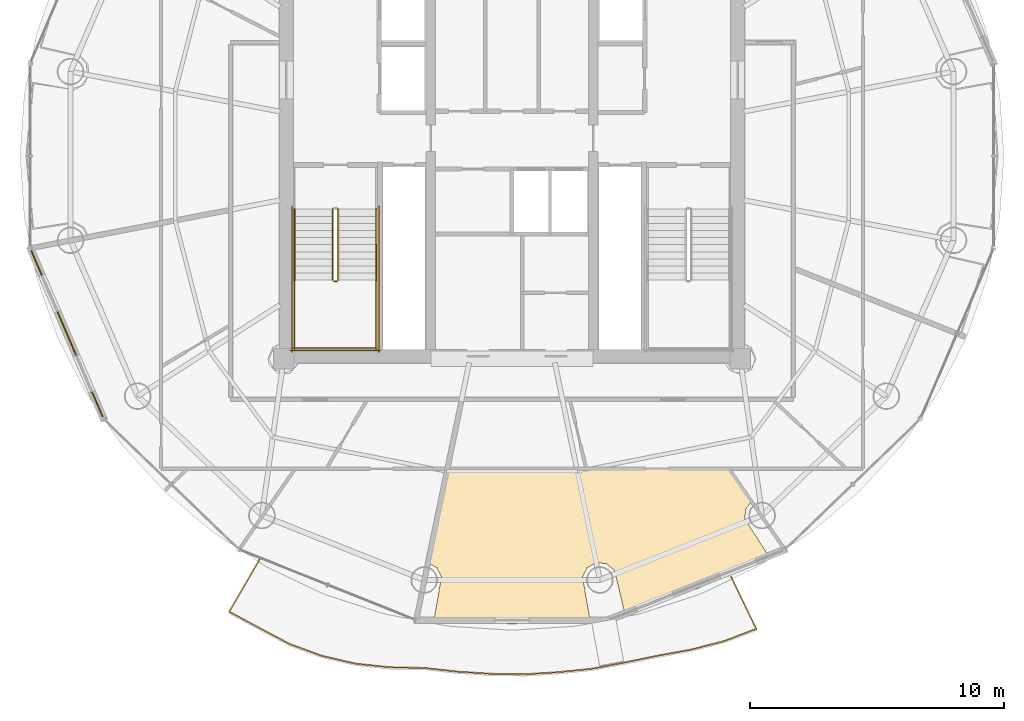
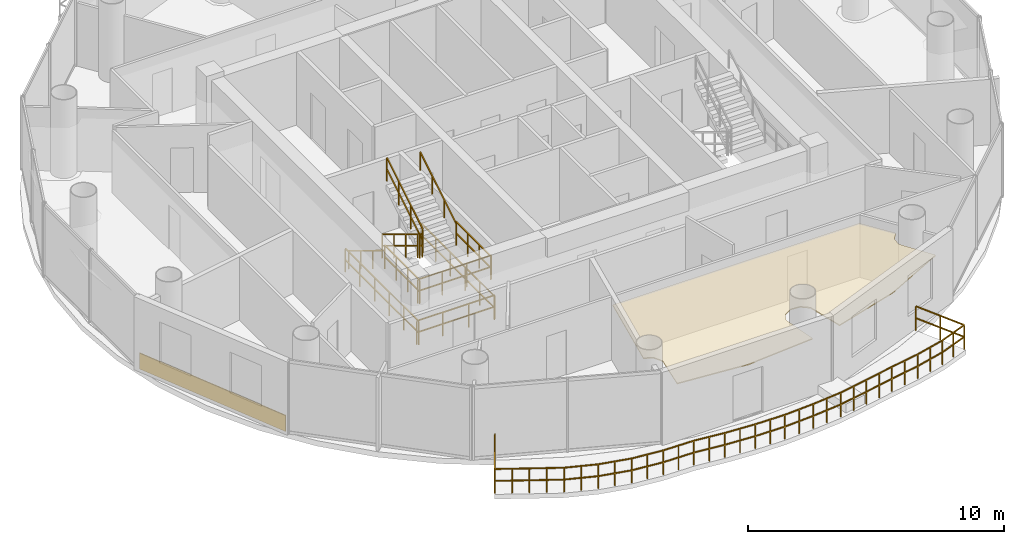
# One storey, part 21 of 23: 12 railings, 2 coverings.
"""IFC4 building model written with IfcOpenShell, lengths in metres."""

from ifc_helpers import new_model, si_unit, direction, frame, origin, origin_2d, place, context, subcontext, project, spatial, polyline, rectangle, outline, extrude, source, transform, mapped, material, layer, layer_set, type_object, element, save


model = new_model("IFC4")

# Units and contexts
model_context = context("Model", 3, precision=1e-05, world=origin(), true_north=direction((-0.2419218956, 0.970295726276)))
body_context = subcontext(model_context, "Body", "Model", "MODEL_VIEW")
ifc_project = project(units=[si_unit("LENGTHUNIT", "METRE"), si_unit("AREAUNIT", "SQUARE_METRE"), si_unit("VOLUMEUNIT", "CUBIC_METRE"), si_unit("PLANEANGLEUNIT", "RADIAN"), si_unit("MASSUNIT", "GRAM", prefix="KILO")], contexts=[model_context])

# Site, building, storey
site_placement = place(None, origin())
site = spatial("IfcSite", under=ifc_project, at=site_placement, CompositionType="ELEMENT")
building_placement = place(site_placement, origin())
building = spatial("IfcBuilding", under=site, at=building_placement, Name="Cobrevalo Terracotta Tower", CompositionType="ELEMENT")
storey_placement = place(building_placement, frame((0.0, 0.0, 251.949951171875)))
storey = spatial("IfcBuildingStorey", under=building, at=storey_placement, Name="L66", CompositionType="ELEMENT", Elevation=251.949951171875)

# Railing
ifc_material_1 = material(Name="Laminated structural glass and stainless steel", Category="steel")
railing_type_1 = type_object("IfcRailingType", Name="Balcony lobe structural glass & terracotta-cap balustrade 1180 mm", PredefinedType="BALUSTRADE", material=ifc_material_1)
railing_1_placement = place(storey_placement, frame((28.039794921875, 10.8798828125, 0.0)))
element("IfcRailing", 1, at=railing_1_placement, inside=storey, type_object=railing_type_1, Name="L66 spiralling balcony lobe balustrade 2", PredefinedType="BALUSTRADE", context=body_context, shape_type="SweptSolid", body=[
    extrude(rectangle(XDim=0.048095703125, YDim=0.048095703125, at=origin_2d()), frame((0.0, 0.0, 1.15576171875), z_axis=(-0.502641922327, -0.864494706704, 0.0), x_axis=(0.864494706704, -0.502641922327, 0.0)), (0.0, 0.0, 1.0), 2.372314453125),
    extrude(rectangle(XDim=0.048095703125, YDim=0.048095703125, at=origin_2d()), frame((0.0, 0.0, 0.58984375), z_axis=(-0.502641922327, -0.864494706704, 0.0), x_axis=(0.864494706704, -0.502641922327, 0.0)), (0.0, 0.0, 1.0), 2.372314453125),
    extrude(rectangle(XDim=0.048095703125, YDim=0.048095703125, at=origin_2d()), frame((-1.1923828125, -2.05078125, 1.15576171875), z_axis=(0.8797617088, -0.475414909031, 0.0), x_axis=(0.475414909031, 0.8797617088, 0.0)), (0.0, 0.0, 1.0), 1.35009765625),
    extrude(rectangle(XDim=0.048095703125, YDim=0.048095703125, at=origin_2d()), frame((-1.1923828125, -2.05078125, 0.58984375), z_axis=(0.8797617088, -0.475414909031, 0.0), x_axis=(0.475414909031, 0.8797617088, 0.0)), (0.0, 0.0, 1.0), 1.35009765625),
    extrude(rectangle(XDim=0.048095703125, YDim=0.048095703125, at=origin_2d()), frame((-0.004638671875, -2.692626953125, 1.15576171875), z_axis=(0.883490294102, -0.468449463899, 0.0), x_axis=(0.468449463899, 0.883490294102, 0.0)), (0.0, 0.0, 1.0), 1.357666015625),
    extrude(rectangle(XDim=0.048095703125, YDim=0.048095703125, at=origin_2d()), frame((-0.004638671875, -2.692626953125, 0.58984375), z_axis=(0.883490294102, -0.468449463899, 0.0), x_axis=(0.468449463899, 0.883490294102, 0.0)), (0.0, 0.0, 1.0), 1.357666015625),
    extrude(rectangle(XDim=0.048095703125, YDim=0.048095703125, at=origin_2d()), frame((1.19482421875, -3.32861328125, 1.15576171875), z_axis=(0.939245964132, -0.34324483807, 0.0), x_axis=(0.34324483807, 0.939245964132, 0.0)), (0.0, 0.0, 1.0), 1.357177734375),
    extrude(rectangle(XDim=0.048095703125, YDim=0.048095703125, at=origin_2d()), frame((1.19482421875, -3.32861328125, 0.58984375), z_axis=(0.939245964132, -0.34324483807, 0.0), x_axis=(0.34324483807, 0.939245964132, 0.0)), (0.0, 0.0, 1.0), 1.357177734375),
    extrude(rectangle(XDim=0.048095703125, YDim=0.048095703125, at=origin_2d()), frame((2.469482421875, -3.79443359375, 1.15576171875), z_axis=(0.974100023718, -0.226117544194, 0.0), x_axis=(0.226117544194, 0.974100023718, 0.0)), (0.0, 0.0, 1.0), 1.3603515625),
    extrude(rectangle(XDim=0.048095703125, YDim=0.048095703125, at=origin_2d()), frame((2.469482421875, -3.79443359375, 0.58984375), z_axis=(0.974100023718, -0.226117544194, 0.0), x_axis=(0.226117544194, 0.974100023718, 0.0)), (0.0, 0.0, 1.0), 1.3603515625),
    extrude(rectangle(XDim=0.048095703125, YDim=0.048095703125, at=origin_2d()), frame((3.794677734375, -4.10205078125, 1.15576171875), z_axis=(0.994502500027, -0.104712833216, 0.0), x_axis=(0.104712833216, 0.994502500027, 0.0)), (0.0, 0.0, 1.0), 1.359375),
    extrude(rectangle(XDim=0.048095703125, YDim=0.048095703125, at=origin_2d()), frame((3.794677734375, -4.10205078125, 0.58984375), z_axis=(0.994502500027, -0.104712833216, 0.0), x_axis=(0.104712833216, 0.994502500027, 0.0)), (0.0, 0.0, 1.0), 1.359375),
    extrude(rectangle(XDim=0.048095703125, YDim=0.048095703125, at=origin_2d()), frame((5.146484375, -4.244384765625, 1.15576171875), z_axis=(0.999831160374, -0.01837527538, 0.0), x_axis=(0.01837527538, 0.999831160374, 0.0)), (0.0, 0.0, 1.0), 1.355224609375),
    extrude(rectangle(XDim=0.048095703125, YDim=0.048095703125, at=origin_2d()), frame((5.146484375, -4.244384765625, 0.58984375), z_axis=(0.999831160374, -0.01837527538, 0.0), x_axis=(0.01837527538, 0.999831160374, 0.0)), (0.0, 0.0, 1.0), 1.355224609375),
    extrude(rectangle(XDim=0.048095703125, YDim=0.048095703125, at=origin_2d()), frame((6.50146484375, -4.269287109375, 1.15576171875), z_axis=(0.993777759576, -0.111381167941, 0.0), x_axis=(0.111381167941, 0.993777759576, 0.0)), (0.0, 0.0, 1.0), 1.326171875),
    extrude(rectangle(XDim=0.048095703125, YDim=0.048095703125, at=origin_2d()), frame((6.50146484375, -4.269287109375, 0.58984375), z_axis=(0.993777759576, -0.111381167941, 0.0), x_axis=(0.111381167941, 0.993777759576, 0.0)), (0.0, 0.0, 1.0), 1.326171875),
    extrude(rectangle(XDim=0.048095703125, YDim=0.048095703125, at=origin_2d()), frame((7.8193359375, -4.4169921875, 1.15576171875), z_axis=(0.997986945276, -0.063419689836, 0.0), x_axis=(0.063419689836, 0.997986945276, 0.0)), (0.0, 0.0, 1.0), 1.328125),
    extrude(rectangle(XDim=0.048095703125, YDim=0.048095703125, at=origin_2d()), frame((7.8193359375, -4.4169921875, 0.58984375), z_axis=(0.997986945276, -0.063419689836, 0.0), x_axis=(0.063419689836, 0.997986945276, 0.0)), (0.0, 0.0, 1.0), 1.328125),
    extrude(rectangle(XDim=0.048095703125, YDim=0.048095703125, at=origin_2d()), frame((9.144775390625, -4.501220703125, 1.15576171875), z_axis=(0.999902065947, -0.013994946043, 0.0), x_axis=(0.013994946043, 0.999902065947, 0.0)), (0.0, 0.0, 1.0), 1.325927734375),
    extrude(rectangle(XDim=0.048095703125, YDim=0.048095703125, at=origin_2d()), frame((9.144775390625, -4.501220703125, 0.58984375), z_axis=(0.999902065947, -0.013994946043, 0.0), x_axis=(0.013994946043, 0.999902065947, 0.0)), (0.0, 0.0, 1.0), 1.325927734375),
    extrude(rectangle(XDim=0.048095703125, YDim=0.048095703125, at=origin_2d()), frame((10.470458984375, -4.519775390625, 1.15576171875), z_axis=(0.998056153456, 0.062321060236, 0.0), x_axis=(-0.062321060236, 0.998056153456, 0.0)), (0.0, 0.0, 1.0), 1.328125),
    extrude(rectangle(XDim=0.048095703125, YDim=0.048095703125, at=origin_2d()), frame((10.470458984375, -4.519775390625, 0.58984375), z_axis=(0.998056153456, 0.062321060236, 0.0), x_axis=(-0.062321060236, 0.998056153456, 0.0)), (0.0, 0.0, 1.0), 1.328125),
    extrude(rectangle(XDim=0.048095703125, YDim=0.048095703125, at=origin_2d()), frame((11.7958984375, -4.43701171875, 1.15576171875), z_axis=(0.994726183174, 0.102566176236, 0.0), x_axis=(-0.102566176236, 0.994726183174, 0.0)), (0.0, 0.0, 1.0), 1.325927734375),
    extrude(rectangle(XDim=0.048095703125, YDim=0.048095703125, at=origin_2d()), frame((11.7958984375, -4.43701171875, 0.58984375), z_axis=(0.994726183174, 0.102566176236, 0.0), x_axis=(-0.102566176236, 0.994726183174, 0.0)), (0.0, 0.0, 1.0), 1.325927734375),
    extrude(rectangle(XDim=0.048095703125, YDim=0.048095703125, at=origin_2d()), frame((13.11474609375, -4.301025390625, 1.15576171875), z_axis=(0.982336955947, 0.187120562689, 0.0), x_axis=(-0.187120562689, 0.982336955947, 0.0)), (0.0, 0.0, 1.0), 1.326904296875),
    extrude(rectangle(XDim=0.048095703125, YDim=0.048095703125, at=origin_2d()), frame((13.11474609375, -4.301025390625, 0.58984375), z_axis=(0.982336955947, 0.187120562689, 0.0), x_axis=(-0.187120562689, 0.982336955947, 0.0)), (0.0, 0.0, 1.0), 1.326904296875),
    extrude(rectangle(XDim=0.048095703125, YDim=0.048095703125, at=origin_2d()), frame((14.418212890625, -4.052734375, 1.15576171875), z_axis=(0.979233956079, 0.20273346853, 0.0), x_axis=(-0.20273346853, 0.979233956079, 0.0)), (0.0, 0.0, 1.0), 1.325927734375),
    extrude(rectangle(XDim=0.048095703125, YDim=0.048095703125, at=origin_2d()), frame((14.418212890625, -4.052734375, 0.58984375), z_axis=(0.979233956079, 0.20273346853, 0.0), x_axis=(-0.20273346853, 0.979233956079, 0.0)), (0.0, 0.0, 1.0), 1.325927734375),
    extrude(rectangle(XDim=0.048095703125, YDim=0.048095703125, at=origin_2d()), frame((15.716552734375, -3.783935546875, 1.15576171875), z_axis=(0.983773594524, 0.17941436597, 0.0), x_axis=(-0.17941436597, 0.983773594524, 0.0)), (0.0, 0.0, 1.0), 1.34033203125),
    extrude(rectangle(XDim=0.048095703125, YDim=0.048095703125, at=origin_2d()), frame((15.716552734375, -3.783935546875, 0.58984375), z_axis=(0.983773594524, 0.17941436597, 0.0), x_axis=(-0.17941436597, 0.983773594524, 0.0)), (0.0, 0.0, 1.0), 1.34033203125),
    extrude(rectangle(XDim=0.048095703125, YDim=0.048095703125, at=origin_2d()), frame((17.03515625, -3.54345703125, 1.15576171875), z_axis=(0.968455427863, 0.249186846046, 0.0), x_axis=(-0.249186846046, 0.968455427863, 0.0)), (0.0, 0.0, 1.0), 1.34619140625),
    extrude(rectangle(XDim=0.048095703125, YDim=0.048095703125, at=origin_2d()), frame((17.03515625, -3.54345703125, 0.58984375), z_axis=(0.968455427863, 0.249186846046, 0.0), x_axis=(-0.249186846046, 0.968455427863, 0.0)), (0.0, 0.0, 1.0), 1.34619140625),
    extrude(rectangle(XDim=0.048095703125, YDim=0.048095703125, at=origin_2d()), frame((18.3388671875, -3.2080078125, 1.15576171875), z_axis=(0.933616648448, 0.35827357388, 0.0), x_axis=(-0.35827357388, 0.933616648448, 0.0)), (0.0, 0.0, 1.0), 1.34521484375),
    extrude(rectangle(XDim=0.048095703125, YDim=0.048095703125, at=origin_2d()), frame((18.3388671875, -3.2080078125, 0.58984375), z_axis=(0.933616648448, 0.35827357388, 0.0), x_axis=(-0.35827357388, 0.933616648448, 0.0)), (0.0, 0.0, 1.0), 1.34521484375),
    extrude(rectangle(XDim=0.048095703125, YDim=0.048095703125, at=origin_2d()), frame((19.5947265625, -2.72607421875, 1.15576171875), z_axis=(-0.43559176799, 0.900144328238, 0.0), x_axis=(-0.900144328238, -0.43559176799, 0.0)), (0.0, 0.0, 1.0), 2.276123046875),
    extrude(rectangle(XDim=0.048095703125, YDim=0.048095703125, at=origin_2d()), frame((19.5947265625, -2.72607421875, 0.58984375), z_axis=(-0.43559176799, 0.900144328238, 0.0), x_axis=(-0.900144328238, -0.43559176799, 0.0)), (0.0, 0.0, 1.0), 2.276123046875),
    extrude(rectangle(XDim=0.0419921875, YDim=0.0419921875, at=origin_2d()), origin(), (0.0, 0.0, 1.0), 1.1318359375),
    extrude(rectangle(XDim=0.0419921875, YDim=0.0419921875, at=origin_2d()), frame((-0.59619140625, -1.025390625, 0.0)), (0.0, 0.0, 1.0), 1.1318359375),
    extrude(rectangle(XDim=0.0419921875, YDim=0.0419921875, at=origin_2d()), frame((-1.1923828125, -2.05078125, 0.0)), (0.0, 0.0, 1.0), 1.1318359375),
    extrude(rectangle(XDim=0.0419921875, YDim=0.0419921875, at=origin_2d()), frame((-0.5986328125, -2.37158203125, 0.0)), (0.0, 0.0, 1.0), 1.1318359375),
    extrude(rectangle(XDim=0.0419921875, YDim=0.0419921875, at=origin_2d()), frame((-0.004638671875, -2.692626953125, 0.0)), (0.0, 0.0, 1.0), 1.1318359375),
    extrude(rectangle(XDim=0.0419921875, YDim=0.0419921875, at=origin_2d()), frame((0.59521484375, -3.0107421875, 0.0)), (0.0, 0.0, 1.0), 1.1318359375),
    extrude(rectangle(XDim=0.0419921875, YDim=0.0419921875, at=origin_2d()), frame((1.19482421875, -3.32861328125, 0.0)), (0.0, 0.0, 1.0), 1.1318359375),
    extrude(rectangle(XDim=0.0419921875, YDim=0.0419921875, at=origin_2d()), frame((1.83203125, -3.5615234375, 0.0)), (0.0, 0.0, 1.0), 1.1318359375),
    extrude(rectangle(XDim=0.0419921875, YDim=0.0419921875, at=origin_2d()), frame((2.469482421875, -3.79443359375, 0.0)), (0.0, 0.0, 1.0), 1.1318359375),
    extrude(rectangle(XDim=0.0419921875, YDim=0.0419921875, at=origin_2d()), frame((3.132080078125, -3.9482421875, 0.0)), (0.0, 0.0, 1.0), 1.1318359375),
    extrude(rectangle(XDim=0.0419921875, YDim=0.0419921875, at=origin_2d()), frame((3.794677734375, -4.10205078125, 0.0)), (0.0, 0.0, 1.0), 1.1318359375),
    extrude(rectangle(XDim=0.0419921875, YDim=0.0419921875, at=origin_2d()), frame((4.470703125, -4.17333984375, 0.0)), (0.0, 0.0, 1.0), 1.1318359375),
    extrude(rectangle(XDim=0.0419921875, YDim=0.0419921875, at=origin_2d()), frame((5.146484375, -4.244384765625, 0.0)), (0.0, 0.0, 1.0), 1.1318359375),
    extrude(rectangle(XDim=0.0419921875, YDim=0.0419921875, at=origin_2d()), frame((5.823974609375, -4.2568359375, 0.0)), (0.0, 0.0, 1.0), 1.1318359375),
    extrude(rectangle(XDim=0.0419921875, YDim=0.0419921875, at=origin_2d()), frame((6.50146484375, -4.269287109375, 0.0)), (0.0, 0.0, 1.0), 1.1318359375),
    extrude(rectangle(XDim=0.0419921875, YDim=0.0419921875, at=origin_2d()), frame((7.160400390625, -4.34326171875, 0.0)), (0.0, 0.0, 1.0), 1.1318359375),
    extrude(rectangle(XDim=0.0419921875, YDim=0.0419921875, at=origin_2d()), frame((7.8193359375, -4.4169921875, 0.0)), (0.0, 0.0, 1.0), 1.1318359375),
    extrude(rectangle(XDim=0.0419921875, YDim=0.0419921875, at=origin_2d()), frame((8.48193359375, -4.458984375, 0.0)), (0.0, 0.0, 1.0), 1.1318359375),
    extrude(rectangle(XDim=0.0419921875, YDim=0.0419921875, at=origin_2d()), frame((9.144775390625, -4.501220703125, 0.0)), (0.0, 0.0, 1.0), 1.1318359375),
    extrude(rectangle(XDim=0.0419921875, YDim=0.0419921875, at=origin_2d()), frame((9.8076171875, -4.510498046875, 0.0)), (0.0, 0.0, 1.0), 1.1318359375),
    extrude(rectangle(XDim=0.0419921875, YDim=0.0419921875, at=origin_2d()), frame((10.470458984375, -4.519775390625, 0.0)), (0.0, 0.0, 1.0), 1.1318359375),
    extrude(rectangle(XDim=0.0419921875, YDim=0.0419921875, at=origin_2d()), frame((11.13330078125, -4.478515625, 0.0)), (0.0, 0.0, 1.0), 1.1318359375),
    extrude(rectangle(XDim=0.0419921875, YDim=0.0419921875, at=origin_2d()), frame((11.7958984375, -4.43701171875, 0.0)), (0.0, 0.0, 1.0), 1.1318359375),
    extrude(rectangle(XDim=0.0419921875, YDim=0.0419921875, at=origin_2d()), frame((12.455322265625, -4.369140625, 0.0)), (0.0, 0.0, 1.0), 1.1318359375),
    extrude(rectangle(XDim=0.0419921875, YDim=0.0419921875, at=origin_2d()), frame((13.11474609375, -4.301025390625, 0.0)), (0.0, 0.0, 1.0), 1.1318359375),
    extrude(rectangle(XDim=0.0419921875, YDim=0.0419921875, at=origin_2d()), frame((13.7666015625, -4.1767578125, 0.0)), (0.0, 0.0, 1.0), 1.1318359375),
    extrude(rectangle(XDim=0.0419921875, YDim=0.0419921875, at=origin_2d()), frame((14.418212890625, -4.052734375, 0.0)), (0.0, 0.0, 1.0), 1.1318359375),
    extrude(rectangle(XDim=0.0419921875, YDim=0.0419921875, at=origin_2d()), frame((15.0673828125, -3.91845703125, 0.0)), (0.0, 0.0, 1.0), 1.1318359375),
    extrude(rectangle(XDim=0.0419921875, YDim=0.0419921875, at=origin_2d()), frame((15.716552734375, -3.783935546875, 0.0)), (0.0, 0.0, 1.0), 1.1318359375),
    extrude(rectangle(XDim=0.0419921875, YDim=0.0419921875, at=origin_2d()), frame((16.3759765625, -3.66357421875, 0.0)), (0.0, 0.0, 1.0), 1.1318359375),
    extrude(rectangle(XDim=0.0419921875, YDim=0.0419921875, at=origin_2d()), frame((17.03515625, -3.54345703125, 0.0)), (0.0, 0.0, 1.0), 1.1318359375),
    extrude(rectangle(XDim=0.0419921875, YDim=0.0419921875, at=origin_2d()), frame((17.68701171875, -3.375732421875, 0.0)), (0.0, 0.0, 1.0), 1.1318359375),
    extrude(rectangle(XDim=0.0419921875, YDim=0.0419921875, at=origin_2d()), frame((18.3388671875, -3.2080078125, 0.0)), (0.0, 0.0, 1.0), 1.1318359375),
    extrude(rectangle(XDim=0.0419921875, YDim=0.0419921875, at=origin_2d()), frame((18.966796875, -2.967041015625, 0.0)), (0.0, 0.0, 1.0), 1.1318359375),
    extrude(rectangle(XDim=0.0419921875, YDim=0.0419921875, at=origin_2d()), frame((19.5947265625, -2.72607421875, 0.0)), (0.0, 0.0, 1.0), 1.1318359375),
    extrude(rectangle(XDim=0.0419921875, YDim=0.0419921875, at=origin_2d()), frame((19.09912109375, -1.70166015625, 0.0)), (0.0, 0.0, 1.0), 1.1318359375),
    extrude(rectangle(XDim=0.0419921875, YDim=0.0419921875, at=origin_2d()), frame((18.603271484375, -0.67724609375, 0.0)), (0.0, 0.0, 1.0), 1.1318359375),
])

# Covering
ifc_material_2 = material(Name="Acoustic perforated gypsum ceiling", Category="gypsum")
ifc_layer_1 = layer(ifc_material_2, 0.050048828125)
ifc_layer_set_1 = layer_set([ifc_layer_1], Name="Acoustic perforated gypsum ceiling")
covering_type_1 = type_object("IfcCoveringType", Name="Perforated Acoustic Gypsum Ceiling 50", PredefinedType="CEILING", material=ifc_layer_set_1)
covering_1_placement = place(storey_placement, frame((0.0, 0.0, 2.5)))
element("IfcCovering", 2, at=covering_1_placement, inside=storey, type_object=covering_type_1, Name="Flat L66C Living and Dining Room acoustic ceiling", PredefinedType="CEILING", context=body_context, shape_type="SweptSolid", body=[
    extrude(outline(polyline([(45.333740234375, 9.740478515625), (42.424560546875, 8.861328125), (42.03759765625, 10.46826171875), (41.7236328125, 10.7216796875), (41.322021484375, 10.758056640625), (40.9677734375, 10.565185546875), (40.7802734375, 10.207763671875), (41.05908203125, 8.599853515625), (38.0, 8.3349609375), (34.94091796875, 8.599853515625), (35.2197265625, 10.207763671875), (35.0322265625, 10.565185546875), (34.6650390625, 10.76220703125), (35.43408203125, 14.489990234375), (46.563720703125, 14.489990234375), (47.462890625, 13.192626953125), (47.214599609375, 12.877197265625), (47.1826171875, 12.47509765625), (48.062255859375, 11.11767578125), (45.333740234375, 9.740478515625)])), origin(), (0.0, 0.0, 1.0), 0.050048828125),
])

# Railings
ifc_material_3 = material(Name="Brushed stainless steel", Category="steel")
railing_type_2 = type_object("IfcRailingType", Name="Stainless Steel Stair Handrail 900", PredefinedType="HANDRAIL", material=ifc_material_3)
railing_2_placement = place(storey_placement, frame((29.425048828125, 24.699951171875, 0.17041015625)))
element("IfcRailing", 3, at=railing_2_placement, inside=storey, type_object=railing_type_2, Name="L66 ST-1 stair handrail 1", PredefinedType="HANDRAIL", context=body_context, shape_type="SweptSolid", body=[
    extrude(rectangle(XDim=0.048095703125, YDim=0.048095703125, at=origin_2d()), frame((0.0, 0.0, 0.8759765625), z_axis=(0.0, -0.854169791009, 0.51999420009), x_axis=(1.0, 0.0, 0.0)), (0.0, 0.0, 1.0), 3.278076171875),
    extrude(rectangle(XDim=0.0419921875, YDim=0.0419921875, at=origin_2d()), origin(), (0.0, 0.0, 1.0), 0.851806640625),
    extrude(rectangle(XDim=0.0419921875, YDim=0.0419921875, at=origin_2d()), frame((0.0, -0.933349609375, 0.568115234375)), (0.0, 0.0, 1.0), 0.851806640625),
    extrude(rectangle(XDim=0.0419921875, YDim=0.0419921875, at=origin_2d()), frame((0.0, -1.86669921875, 1.136474609375)), (0.0, 0.0, 1.0), 0.851806640625),
    extrude(rectangle(XDim=0.0419921875, YDim=0.0419921875, at=origin_2d()), frame((0.0, -2.800048828125, 1.70458984375)), (0.0, 0.0, 1.0), 0.851806640625),
])
railing_3_placement = place(storey_placement, frame((32.64501953125, 21.89990234375, 2.04541015625)))
element("IfcRailing", 4, at=railing_3_placement, inside=storey, type_object=railing_type_2, Name="L66 ST-1 stair handrail 2", PredefinedType="HANDRAIL", context=body_context, shape_type="SweptSolid", body=[
    extrude(rectangle(XDim=0.048095703125, YDim=0.048095703125, at=origin_2d()), frame((0.0, 0.0, 0.8759765625), z_axis=(0.0, 0.854169791009, 0.51999420009), x_axis=(-1.0, 0.0, 0.0)), (0.0, 0.0, 1.0), 3.278076171875),
    extrude(rectangle(XDim=0.0419921875, YDim=0.0419921875, at=origin_2d()), origin(), (0.0, 0.0, 1.0), 0.851806640625),
    extrude(rectangle(XDim=0.0419921875, YDim=0.0419921875, at=origin_2d()), frame((0.0, 0.933349609375, 0.568115234375)), (0.0, 0.0, 1.0), 0.851806640625),
    extrude(rectangle(XDim=0.0419921875, YDim=0.0419921875, at=origin_2d()), frame((0.0, 1.86669921875, 1.136474609375)), (0.0, 0.0, 1.0), 0.851806640625),
    extrude(rectangle(XDim=0.0419921875, YDim=0.0419921875, at=origin_2d()), frame((0.0, 2.800048828125, 1.70458984375)), (0.0, 0.0, 1.0), 0.851806640625),
])
ifc_material_4 = material(Name="Painted galvanized steel", Category="steel")
railing_type_3 = type_object("IfcRailingType", Name="Stair Well Guard Balustrade 1150", PredefinedType="GUARDRAIL", material=ifc_material_4)
railing_4_placement = place(storey_placement, frame((30.925048828125, 24.699951171875, 0.17041015625)))
element("IfcRailing", 5, at=railing_4_placement, inside=storey, type_object=railing_type_3, Name="L66 ST-1 stair guard 1", PredefinedType="GUARDRAIL", context=body_context, shape_type="SweptSolid", body=[
    extrude(rectangle(XDim=0.048095703125, YDim=0.048095703125, at=origin_2d()), frame((0.0, 0.0, 1.1259765625), z_axis=(0.0, -0.854169791009, 0.51999420009), x_axis=(1.0, 0.0, 0.0)), (0.0, 0.0, 1.0), 3.278076171875),
    extrude(rectangle(XDim=0.048095703125, YDim=0.048095703125, at=origin_2d()), frame((0.0, 0.0, 0.574951171875), z_axis=(0.0, -0.854169791009, 0.51999420009), x_axis=(1.0, 0.0, 0.0)), (0.0, 0.0, 1.0), 3.278076171875),
    extrude(rectangle(XDim=0.0419921875, YDim=0.0419921875, at=origin_2d()), origin(), (0.0, 0.0, 1.0), 1.101806640625),
    extrude(rectangle(XDim=0.0419921875, YDim=0.0419921875, at=origin_2d()), frame((0.0, -0.933349609375, 0.568115234375)), (0.0, 0.0, 1.0), 1.101806640625),
    extrude(rectangle(XDim=0.0419921875, YDim=0.0419921875, at=origin_2d()), frame((0.0, -1.86669921875, 1.136474609375)), (0.0, 0.0, 1.0), 1.101806640625),
    extrude(rectangle(XDim=0.0419921875, YDim=0.0419921875, at=origin_2d()), frame((0.0, -2.800048828125, 1.70458984375)), (0.0, 0.0, 1.0), 1.101806640625),
])
railing_5_placement = place(storey_placement, frame((30.97509765625, 21.85009765625, 1.875)))
element("IfcRailing", 6, at=railing_5_placement, inside=storey, type_object=railing_type_3, Name="L66 ST-1 stair guard 2", PredefinedType="GUARDRAIL", context=body_context, shape_type="SweptSolid", body=[
    extrude(rectangle(XDim=0.048095703125, YDim=0.048095703125, at=origin_2d()), frame((0.0, 0.0, 1.1259765625), z_axis=(1.0, 0.0, 0.0), x_axis=(0.0, 1.0, 0.0)), (0.0, 0.0, 1.0), 0.119873046875),
    extrude(rectangle(XDim=0.048095703125, YDim=0.048095703125, at=origin_2d()), frame((0.0, 0.0, 0.574951171875), z_axis=(1.0, 0.0, 0.0), x_axis=(0.0, 1.0, 0.0)), (0.0, 0.0, 1.0), 0.119873046875),
    extrude(rectangle(XDim=0.0419921875, YDim=0.0419921875, at=origin_2d()), origin(), (0.0, 0.0, 1.0), 1.101806640625),
    extrude(rectangle(XDim=0.0419921875, YDim=0.0419921875, at=origin_2d()), frame((0.119873046875, 0.0, 0.0)), (0.0, 0.0, 1.0), 1.101806640625),
])
for number, where, name in (
    (7, (29.425048828125, 21.89990234375, 1.875), "L66 ST-1 stair guard 3"),
    (8, (32.64501953125, 21.89990234375, 1.875), "L66 ST-1 stair guard 4"),
):
    element("IfcRailing", number, at=place(storey_placement, frame(where)), inside=storey, type_object=railing_type_3, Name=name, PredefinedType="GUARDRAIL", context=body_context, shape_type="SweptSolid", body=[
        extrude(rectangle(XDim=0.048095703125, YDim=0.048095703125, at=origin_2d()), frame((0.0, 0.0, 1.1259765625), z_axis=(0.0, -1.0, 0.0), x_axis=(1.0, 0.0, 0.0)), (0.0, 0.0, 1.0), 2.724853515625),
        extrude(rectangle(XDim=0.048095703125, YDim=0.048095703125, at=origin_2d()), frame((0.0, 0.0, 0.574951171875), z_axis=(0.0, -1.0, 0.0), x_axis=(1.0, 0.0, 0.0)), (0.0, 0.0, 1.0), 2.724853515625),
        extrude(rectangle(XDim=0.0419921875, YDim=0.0419921875, at=origin_2d()), origin(), (0.0, 0.0, 1.0), 1.101806640625),
        extrude(rectangle(XDim=0.0419921875, YDim=0.0419921875, at=origin_2d()), frame((0.0, -0.908203125, 0.0)), (0.0, 0.0, 1.0), 1.101806640625),
        extrude(rectangle(XDim=0.0419921875, YDim=0.0419921875, at=origin_2d()), frame((0.0, -1.816650390625, 0.0)), (0.0, 0.0, 1.0), 1.101806640625),
        extrude(rectangle(XDim=0.0419921875, YDim=0.0419921875, at=origin_2d()), frame((0.0, -2.724853515625, 0.0)), (0.0, 0.0, 1.0), 1.101806640625),
    ])
railing_6_placement = place(storey_placement, frame((29.375, 19.22509765625, 1.875)))
element("IfcRailing", 9, at=railing_6_placement, inside=storey, type_object=railing_type_3, Name="L66 ST-1 stair guard 5", PredefinedType="GUARDRAIL", context=body_context, shape_type="SweptSolid", body=[
    extrude(rectangle(XDim=0.048095703125, YDim=0.048095703125, at=origin_2d()), frame((0.0, 0.0, 1.1259765625), z_axis=(1.0, 0.0, 0.0), x_axis=(0.0, 1.0, 0.0)), (0.0, 0.0, 1.0), 3.320068359375),
    extrude(rectangle(XDim=0.048095703125, YDim=0.048095703125, at=origin_2d()), frame((0.0, 0.0, 0.574951171875), z_axis=(1.0, 0.0, 0.0), x_axis=(0.0, 1.0, 0.0)), (0.0, 0.0, 1.0), 3.320068359375),
    extrude(rectangle(XDim=0.0419921875, YDim=0.0419921875, at=origin_2d()), origin(), (0.0, 0.0, 1.0), 1.101806640625),
    extrude(rectangle(XDim=0.0419921875, YDim=0.0419921875, at=origin_2d()), frame((1.106689453125, 0.0, 0.0)), (0.0, 0.0, 1.0), 1.101806640625),
    extrude(rectangle(XDim=0.0419921875, YDim=0.0419921875, at=origin_2d()), frame((2.21337890625, 0.0, 0.0)), (0.0, 0.0, 1.0), 1.101806640625),
    extrude(rectangle(XDim=0.0419921875, YDim=0.0419921875, at=origin_2d()), frame((3.320068359375, 0.0, 0.0)), (0.0, 0.0, 1.0), 1.101806640625),
])
railing_7_placement = place(storey_placement, frame((31.14501953125, 21.89990234375, 2.04541015625)))
element("IfcRailing", 10, at=railing_7_placement, inside=storey, type_object=railing_type_3, Name="L66 ST-1 stair guard 6", PredefinedType="GUARDRAIL", context=body_context, shape_type="SweptSolid", body=[
    extrude(rectangle(XDim=0.048095703125, YDim=0.048095703125, at=origin_2d()), frame((0.0, 0.0, 1.1259765625), z_axis=(0.0, 0.854169791009, 0.51999420009), x_axis=(-1.0, 0.0, 0.0)), (0.0, 0.0, 1.0), 3.278076171875),
    extrude(rectangle(XDim=0.048095703125, YDim=0.048095703125, at=origin_2d()), frame((0.0, 0.0, 0.574951171875), z_axis=(0.0, 0.854169791009, 0.51999420009), x_axis=(-1.0, 0.0, 0.0)), (0.0, 0.0, 1.0), 3.278076171875),
    extrude(rectangle(XDim=0.0419921875, YDim=0.0419921875, at=origin_2d()), origin(), (0.0, 0.0, 1.0), 1.101806640625),
    extrude(rectangle(XDim=0.0419921875, YDim=0.0419921875, at=origin_2d()), frame((0.0, 0.933349609375, 0.568115234375)), (0.0, 0.0, 1.0), 1.101806640625),
    extrude(rectangle(XDim=0.0419921875, YDim=0.0419921875, at=origin_2d()), frame((0.0, 1.86669921875, 1.136474609375)), (0.0, 0.0, 1.0), 1.101806640625),
    extrude(rectangle(XDim=0.0419921875, YDim=0.0419921875, at=origin_2d()), frame((0.0, 2.800048828125, 1.70458984375)), (0.0, 0.0, 1.0), 1.101806640625),
])
for number, where, name in (
    (11, (29.324951171875, 24.800048828125, 0.0), "L66 ST-1 stair guard 10"),
    (12, (32.7451171875, 24.800048828125, 0.0), "L66 ST-1 stair guard 11"),
):
    element("IfcRailing", number, at=place(storey_placement, frame(where)), inside=storey, type_object=railing_type_3, Name=name, PredefinedType="GUARDRAIL", context=body_context, shape_type="SweptSolid", body=[
        extrude(rectangle(XDim=0.048095703125, YDim=0.048095703125, at=origin_2d()), frame((0.0, 0.0, 1.1259765625), z_axis=(0.0, -1.0, 0.0), x_axis=(1.0, 0.0, 0.0)), (0.0, 0.0, 1.0), 5.72509765625),
        extrude(rectangle(XDim=0.048095703125, YDim=0.048095703125, at=origin_2d()), frame((0.0, 0.0, 0.574951171875), z_axis=(0.0, -1.0, 0.0), x_axis=(1.0, 0.0, 0.0)), (0.0, 0.0, 1.0), 5.72509765625),
        extrude(rectangle(XDim=0.0419921875, YDim=0.0419921875, at=origin_2d()), origin(), (0.0, 0.0, 1.0), 1.101806640625),
        extrude(rectangle(XDim=0.0419921875, YDim=0.0419921875, at=origin_2d()), frame((0.0, -1.14501953125, 0.0)), (0.0, 0.0, 1.0), 1.101806640625),
        extrude(rectangle(XDim=0.0419921875, YDim=0.0419921875, at=origin_2d()), frame((0.0, -2.2900390625, 0.0)), (0.0, 0.0, 1.0), 1.101806640625),
        extrude(rectangle(XDim=0.0419921875, YDim=0.0419921875, at=origin_2d()), frame((0.0, -3.43505859375, 0.0)), (0.0, 0.0, 1.0), 1.101806640625),
        extrude(rectangle(XDim=0.0419921875, YDim=0.0419921875, at=origin_2d()), frame((0.0, -4.580078125, 0.0)), (0.0, 0.0, 1.0), 1.101806640625),
        extrude(rectangle(XDim=0.0419921875, YDim=0.0419921875, at=origin_2d()), frame((0.0, -5.72509765625, 0.0)), (0.0, 0.0, 1.0), 1.101806640625),
    ])
railing_8_placement = place(storey_placement, frame((29.27490234375, 19.125, 0.0)))
element("IfcRailing", 13, at=railing_8_placement, inside=storey, type_object=railing_type_3, Name="L66 ST-1 stair guard 12", PredefinedType="GUARDRAIL", context=body_context, shape_type="SweptSolid", body=[
    extrude(rectangle(XDim=0.048095703125, YDim=0.048095703125, at=origin_2d()), frame((0.0, 0.0, 1.1259765625), z_axis=(1.0, 0.0, 0.0), x_axis=(0.0, 1.0, 0.0)), (0.0, 0.0, 1.0), 3.52001953125),
    extrude(rectangle(XDim=0.048095703125, YDim=0.048095703125, at=origin_2d()), frame((0.0, 0.0, 0.574951171875), z_axis=(1.0, 0.0, 0.0), x_axis=(0.0, 1.0, 0.0)), (0.0, 0.0, 1.0), 3.52001953125),
    extrude(rectangle(XDim=0.0419921875, YDim=0.0419921875, at=origin_2d()), origin(), (0.0, 0.0, 1.0), 1.101806640625),
    extrude(rectangle(XDim=0.0419921875, YDim=0.0419921875, at=origin_2d()), frame((1.17333984375, 0.0, 0.0)), (0.0, 0.0, 1.0), 1.101806640625),
    extrude(rectangle(XDim=0.0419921875, YDim=0.0419921875, at=origin_2d()), frame((2.3466796875, 0.0, 0.0)), (0.0, 0.0, 1.0), 1.101806640625),
    extrude(rectangle(XDim=0.0419921875, YDim=0.0419921875, at=origin_2d()), frame((3.52001953125, 0.0, 0.0)), (0.0, 0.0, 1.0), 1.101806640625),
])

# Covering
ifc_material_5 = material(Name="Glazed terracotta facade cladding tile", Category="masonry")
ifc_layer_2 = layer(ifc_material_5, 0.044921875)
ifc_layer_set_2 = layer_set([ifc_layer_2], Name="Glazed terracotta facade cladding tile")
covering_type_2 = type_object("IfcCoveringType", Name="Architectural terracotta rainscreen spandrel cladding 45 mm", PredefinedType="CLADDING", material=ifc_layer_set_2)
shared_shape = source(origin(), body_context, "Body", "SweptSolid", [
    extrude(rectangle(XDim=7.125244140625, YDim=0.044921875, at=origin_2d()), origin(), (0.0, 0.0, 1.0), 0.760009765625),
])
covering_2_placement = place(storey_placement, frame((20.4482421875, 19.79248046875, 0.0400390625), z_axis=(0.0, 0.0, 1.0), x_axis=(0.394828845134, -0.918754691444, 0.0)))
element("IfcCovering", 14, at=covering_2_placement, inside=storey, type_object=covering_type_2, Name="L66 terracotta spandrel cladding S09", PredefinedType="CLADDING", context=body_context, shape_type="MappedRepresentation", body=[
    mapped(shared_shape, transform((0.0, 0.0, 0.0), scale=1.0)),
])

save(model, "model.ifc")
